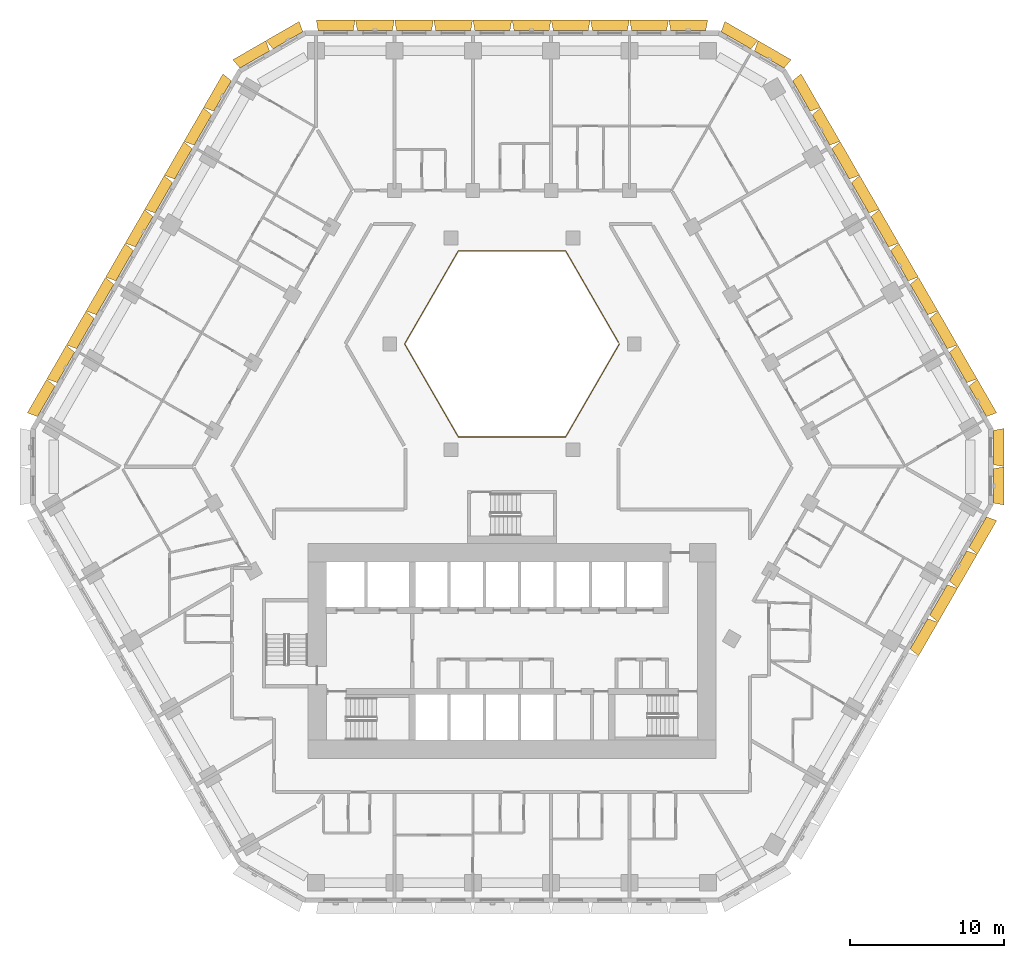
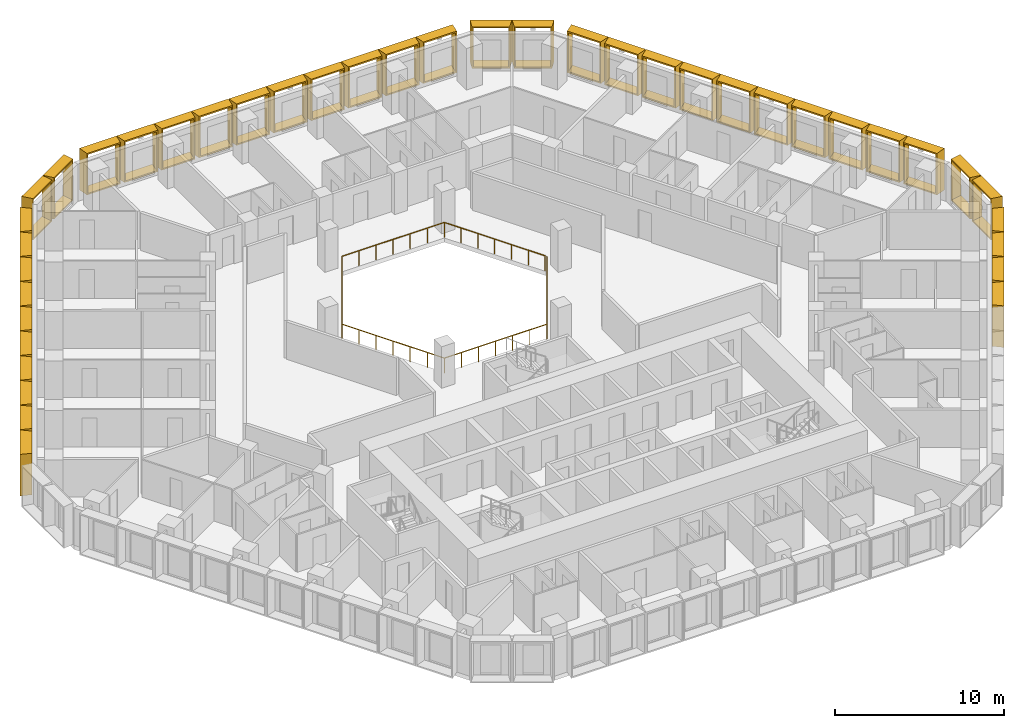
# One storey, part 21 of 21: 40 shading devices, 1 railing.
"""IFC4 building model written with IfcOpenShell, lengths in metres."""

from ifc_helpers import new_model, entity, si_unit, direction, frame, origin, origin_2d, place, context, subcontext, project, spatial, rectangle, extrude, source, transform, mapped, material, type_object, type_shapes, element, save


model = new_model("IFC4")

# Units and contexts
model_context = context("Model", 3, precision=1e-05, world=origin(), true_north=direction((0.0, 1.0)))
body_context = subcontext(model_context, "Body", "Model", "MODEL_VIEW")
ifc_project = project(units=[si_unit("LENGTHUNIT", "METRE"), si_unit("AREAUNIT", "SQUARE_METRE"), si_unit("VOLUMEUNIT", "CUBIC_METRE"), si_unit("PLANEANGLEUNIT", "RADIAN"), si_unit("MASSUNIT", "GRAM", prefix="KILO")], contexts=[model_context])

# Site, building, storey
site_placement = place(None, origin())
site = spatial("IfcSite", under=ifc_project, at=site_placement, CompositionType="ELEMENT")
building_placement = place(site_placement, origin())
building = spatial("IfcBuilding", under=site, at=building_placement, Name="Beryl Residences", CompositionType="ELEMENT")
storey_placement = place(building_placement, frame((0.0, 0.0, 35.39990234375)))
storey = spatial("IfcBuildingStorey", under=building, at=storey_placement, Name="L10", CompositionType="ELEMENT", Elevation=35.39990234375)

# Railing
ifc_material_1 = material(Name="Stainless steel balustrade with glass infill", Category="steel")
railing_type = type_object("IfcRailingType", Name="EG1 edge guard 1100 mm", PredefinedType="GUARDRAIL", material=ifc_material_1)
railing_placement = place(storey_placement, frame((6.9970703125, 8.0, 0.0)))
element("IfcRailing", 1, at=railing_placement, inside=storey, type_object=railing_type, Name="L10 atrium guard", PredefinedType="GUARDRAIL", context=body_context, shape_type="SweptSolid", body=[
    extrude(rectangle(XDim=0.048095703125, YDim=0.048095703125, at=origin_2d()), frame((0.0, 0.0, 1.076171875), z_axis=(-0.499921796684, -0.866070549782, 0.0), x_axis=(0.866070549782, -0.499921796684, 0.0)), (0.0, 0.0, 1.0), 6.9970703125),
    extrude(rectangle(XDim=0.048095703125, YDim=0.048095703125, at=origin_2d()), frame((-3.498046875, -6.06005859375, 1.076171875), z_axis=(-1.0, 0.0, 0.0), x_axis=(0.0, -1.0, 0.0)), (0.0, 0.0, 1.0), 6.998046875),
    extrude(rectangle(XDim=0.048095703125, YDim=0.048095703125, at=origin_2d()), frame((-10.49609375, -6.06005859375, 1.076171875), z_axis=(-0.499921796684, 0.866070549782, 0.0), x_axis=(-0.866070549782, -0.499921796684, 0.0)), (0.0, 0.0, 1.0), 6.9970703125),
    extrude(rectangle(XDim=0.048095703125, YDim=0.048095703125, at=origin_2d()), frame((-13.994140625, 0.0, 1.076171875), z_axis=(0.499921796684, 0.866070549782, 0.0), x_axis=(-0.866070549782, 0.499921796684, 0.0)), (0.0, 0.0, 1.0), 6.9970703125),
    extrude(rectangle(XDim=0.048095703125, YDim=0.048095703125, at=origin_2d()), frame((-10.49609375, 6.06005859375, 1.076171875), z_axis=(1.0, 0.0, 0.0), x_axis=(0.0, 1.0, 0.0)), (0.0, 0.0, 1.0), 6.998046875),
    extrude(rectangle(XDim=0.048095703125, YDim=0.048095703125, at=origin_2d()), frame((-3.498046875, 6.06005859375, 1.076171875), z_axis=(0.499919131929, -0.866072087953, 0.0), x_axis=(0.866072087953, 0.499919131929, 0.0)), (0.0, 0.0, 1.0), 6.877197265625),
    extrude(rectangle(XDim=0.0419921875, YDim=0.0419921875, at=origin_2d()), origin(), (0.0, 0.0, 1.0), 1.052001953125),
    extrude(rectangle(XDim=0.0419921875, YDim=0.0419921875, at=origin_2d()), frame((-0.5830078125, -1.010009765625, 0.0)), (0.0, 0.0, 1.0), 1.052001953125),
    extrude(rectangle(XDim=0.0419921875, YDim=0.0419921875, at=origin_2d()), frame((-1.166015625, -2.02001953125, 0.0)), (0.0, 0.0, 1.0), 1.052001953125),
    extrude(rectangle(XDim=0.0419921875, YDim=0.0419921875, at=origin_2d()), frame((-1.7490234375, -3.030029296875, 0.0)), (0.0, 0.0, 1.0), 1.052001953125),
    extrude(rectangle(XDim=0.0419921875, YDim=0.0419921875, at=origin_2d()), frame((-2.33203125, -4.0400390625, 0.0)), (0.0, 0.0, 1.0), 1.052001953125),
    extrude(rectangle(XDim=0.0419921875, YDim=0.0419921875, at=origin_2d()), frame((-2.9150390625, -5.050048828125, 0.0)), (0.0, 0.0, 1.0), 1.052001953125),
    extrude(rectangle(XDim=0.0419921875, YDim=0.0419921875, at=origin_2d()), frame((-3.498046875, -6.06005859375, 0.0)), (0.0, 0.0, 1.0), 1.052001953125),
    extrude(rectangle(XDim=0.0419921875, YDim=0.0419921875, at=origin_2d()), frame((-4.664306640625, -6.06005859375, 0.0)), (0.0, 0.0, 1.0), 1.052001953125),
    extrude(rectangle(XDim=0.0419921875, YDim=0.0419921875, at=origin_2d()), frame((-5.830810546875, -6.06005859375, 0.0)), (0.0, 0.0, 1.0), 1.052001953125),
    extrude(rectangle(XDim=0.0419921875, YDim=0.0419921875, at=origin_2d()), frame((-6.9970703125, -6.06005859375, 0.0)), (0.0, 0.0, 1.0), 1.052001953125),
    extrude(rectangle(XDim=0.0419921875, YDim=0.0419921875, at=origin_2d()), frame((-8.163330078125, -6.06005859375, 0.0)), (0.0, 0.0, 1.0), 1.052001953125),
    extrude(rectangle(XDim=0.0419921875, YDim=0.0419921875, at=origin_2d()), frame((-9.329833984375, -6.06005859375, 0.0)), (0.0, 0.0, 1.0), 1.052001953125),
    extrude(rectangle(XDim=0.0419921875, YDim=0.0419921875, at=origin_2d()), frame((-10.49609375, -6.06005859375, 0.0)), (0.0, 0.0, 1.0), 1.052001953125),
    extrude(rectangle(XDim=0.0419921875, YDim=0.0419921875, at=origin_2d()), frame((-11.0791015625, -5.050048828125, 0.0)), (0.0, 0.0, 1.0), 1.052001953125),
    extrude(rectangle(XDim=0.0419921875, YDim=0.0419921875, at=origin_2d()), frame((-11.662109375, -4.0400390625, 0.0)), (0.0, 0.0, 1.0), 1.052001953125),
    extrude(rectangle(XDim=0.0419921875, YDim=0.0419921875, at=origin_2d()), frame((-12.2451171875, -3.030029296875, 0.0)), (0.0, 0.0, 1.0), 1.052001953125),
    extrude(rectangle(XDim=0.0419921875, YDim=0.0419921875, at=origin_2d()), frame((-12.828125, -2.02001953125, 0.0)), (0.0, 0.0, 1.0), 1.052001953125),
    extrude(rectangle(XDim=0.0419921875, YDim=0.0419921875, at=origin_2d()), frame((-13.4111328125, -1.010009765625, 0.0)), (0.0, 0.0, 1.0), 1.052001953125),
    extrude(rectangle(XDim=0.0419921875, YDim=0.0419921875, at=origin_2d()), frame((-13.994140625, 0.0, 0.0)), (0.0, 0.0, 1.0), 1.052001953125),
    extrude(rectangle(XDim=0.0419921875, YDim=0.0419921875, at=origin_2d()), frame((-13.4111328125, 1.010009765625, 0.0)), (0.0, 0.0, 1.0), 1.052001953125),
    extrude(rectangle(XDim=0.0419921875, YDim=0.0419921875, at=origin_2d()), frame((-12.828125, 2.02001953125, 0.0)), (0.0, 0.0, 1.0), 1.052001953125),
    extrude(rectangle(XDim=0.0419921875, YDim=0.0419921875, at=origin_2d()), frame((-12.2451171875, 3.030029296875, 0.0)), (0.0, 0.0, 1.0), 1.052001953125),
    extrude(rectangle(XDim=0.0419921875, YDim=0.0419921875, at=origin_2d()), frame((-11.662109375, 4.0400390625, 0.0)), (0.0, 0.0, 1.0), 1.052001953125),
    extrude(rectangle(XDim=0.0419921875, YDim=0.0419921875, at=origin_2d()), frame((-11.0791015625, 5.050048828125, 0.0)), (0.0, 0.0, 1.0), 1.052001953125),
    extrude(rectangle(XDim=0.0419921875, YDim=0.0419921875, at=origin_2d()), frame((-10.49609375, 6.06005859375, 0.0)), (0.0, 0.0, 1.0), 1.052001953125),
    extrude(rectangle(XDim=0.0419921875, YDim=0.0419921875, at=origin_2d()), frame((-9.329833984375, 6.06005859375, 0.0)), (0.0, 0.0, 1.0), 1.052001953125),
    extrude(rectangle(XDim=0.0419921875, YDim=0.0419921875, at=origin_2d()), frame((-8.163330078125, 6.06005859375, 0.0)), (0.0, 0.0, 1.0), 1.052001953125),
    extrude(rectangle(XDim=0.0419921875, YDim=0.0419921875, at=origin_2d()), frame((-6.9970703125, 6.06005859375, 0.0)), (0.0, 0.0, 1.0), 1.052001953125),
    extrude(rectangle(XDim=0.0419921875, YDim=0.0419921875, at=origin_2d()), frame((-5.830810546875, 6.06005859375, 0.0)), (0.0, 0.0, 1.0), 1.052001953125),
    extrude(rectangle(XDim=0.0419921875, YDim=0.0419921875, at=origin_2d()), frame((-4.664306640625, 6.06005859375, 0.0)), (0.0, 0.0, 1.0), 1.052001953125),
    extrude(rectangle(XDim=0.0419921875, YDim=0.0419921875, at=origin_2d()), frame((-3.498046875, 6.06005859375, 0.0)), (0.0, 0.0, 1.0), 1.052001953125),
    extrude(rectangle(XDim=0.0419921875, YDim=0.0419921875, at=origin_2d()), frame((-2.925048828125, 5.0673828125, 0.0)), (0.0, 0.0, 1.0), 1.052001953125),
    extrude(rectangle(XDim=0.0419921875, YDim=0.0419921875, at=origin_2d()), frame((-2.35205078125, 4.07470703125, 0.0)), (0.0, 0.0, 1.0), 1.052001953125),
    extrude(rectangle(XDim=0.0419921875, YDim=0.0419921875, at=origin_2d()), frame((-1.779052734375, 3.08203125, 0.0)), (0.0, 0.0, 1.0), 1.052001953125),
    extrude(rectangle(XDim=0.0419921875, YDim=0.0419921875, at=origin_2d()), frame((-1.2060546875, 2.08935546875, 0.0)), (0.0, 0.0, 1.0), 1.052001953125),
    extrude(rectangle(XDim=0.0419921875, YDim=0.0419921875, at=origin_2d()), frame((-0.633056640625, 1.0966796875, 0.0)), (0.0, 0.0, 1.0), 1.052001953125),
    extrude(rectangle(XDim=0.0419921875, YDim=0.0419921875, at=origin_2d()), frame((-0.06005859375, 0.10400390625, 0.0)), (0.0, 0.0, 1.0), 1.052001953125),
])

# Shading devices
ifc_material_2 = material(Name="Aluminium pale anodised", Category="aluminium")
shading_device_type_1 = type_object("IfcShadingDeviceType", Name="FR250-70A OUTER SKIN frame 700 mm deep, splay 10/10 deg, 2500 x 3000 mm cell", PredefinedType="USERDEFINED", material=ifc_material_2)
cartesian_point_1 = entity("IfcCartesianPoint", [-1.116455078125, 0.0])
cartesian_point_2 = entity("IfcCartesianPoint", [-1.03515625, 0.10009765625])
cartesian_point_3 = entity("IfcCartesianPoint", [-1.239990234375, 0.0])
cartesian_point_4 = entity("IfcCartesianPoint", [-1.15869140625, 0.10009765625])
shared_shape_1 = source(origin(), body_context, "Body", "SweptSolid", [
    entity("IfcExtrudedAreaSolidTapered", entity("IfcArbitraryProfileDefWithVoids", "AREA", None, entity("IfcPolyline", [cartesian_point_1, entity("IfcCartesianPoint", [1.116455078125, 0.0]), entity("IfcCartesianPoint", [1.116455078125, 3.0]), entity("IfcCartesianPoint", [-1.116455078125, 3.0]), cartesian_point_1]), [entity("IfcPolyline", [cartesian_point_2, entity("IfcCartesianPoint", [1.03515625, 0.10009765625]), entity("IfcCartesianPoint", [1.03515625, 2.89990234375]), entity("IfcCartesianPoint", [-1.03515625, 2.89990234375]), cartesian_point_2])]), entity("IfcAxis2Placement3D", entity("IfcCartesianPoint", [0.0, 0.0, 0.0]), entity("IfcDirection", [0.0, 1.0, 0.0]), entity("IfcDirection", [-1.0, 0.0, 0.0])), entity("IfcDirection", [0.0, 0.0, 1.0]), 0.699951171875, entity("IfcArbitraryProfileDefWithVoids", "AREA", None, entity("IfcPolyline", [cartesian_point_3, entity("IfcCartesianPoint", [1.239990234375, 0.0]), entity("IfcCartesianPoint", [1.239990234375, 3.0]), entity("IfcCartesianPoint", [-1.239990234375, 3.0]), cartesian_point_3]), [entity("IfcPolyline", [cartesian_point_4, entity("IfcCartesianPoint", [1.15869140625, 0.10009765625]), entity("IfcCartesianPoint", [1.15869140625, 2.89990234375]), entity("IfcCartesianPoint", [-1.15869140625, 2.89990234375]), cartesian_point_4])])),
])
type_shapes(shading_device_type_1, [shared_shape_1])
for number, where, z_axis, x_axis, name in (
    (2, (-14.593017578125, 27.77490234375, 0.0), (0.0, 0.0, 1.0), (0.866025403784, 0.5, 0.0), "FR250-70A frame L10 N-NW 1"),
    (3, (-16.758056640625, 26.52490234375, 0.0), (0.0, 0.0, 1.0), (0.866025403784, 0.5, 0.0), "FR250-70A frame L10 N-NW 2"),
    (4, (31.35009765625, -1.25, 0.0), (0.0, 0.0, 1.0), (0.0, -1.0, 0.0), "FR250-70A frame L10 SE-NE 1"),
    (5, (31.35009765625, 1.25, 0.0), (0.0, 0.0, 1.0), (0.0, -1.0, 0.0), "FR250-70A frame L10 SE-NE 2"),
    (6, (16.758056640625, 26.52490234375, 0.0), (0.0, 0.0, 1.0), (0.866025403784, -0.5, 0.0), "FR250-70A frame L10 NE-N 1"),
    (7, (14.593017578125, 27.77490234375, 0.0), (0.0, 0.0, 1.0), (0.866025403784, -0.5, 0.0), "FR250-70A frame L10 NE-N 2"),
):
    element("IfcShadingDevice", number, at=place(storey_placement, frame(where, z_axis=z_axis, x_axis=x_axis)), inside=storey, type_object=shading_device_type_1, Name=name, ObjectType="OUTER SKIN", PredefinedType="USERDEFINED", context=body_context, shape_type="MappedRepresentation", body=[
        mapped(shared_shape_1, transform((0.0, 0.0, 0.0))),
    ])
ifc_material_3 = material(Name="Aluminium pale anodised", Category="aluminium")
shading_device_type_2 = type_object("IfcShadingDeviceType", Name="FR255-70A OUTER SKIN frame 700 mm deep, splay 10/10 deg, 2550 x 3000 mm cell", PredefinedType="USERDEFINED", material=ifc_material_3)
cartesian_point_5 = entity("IfcCartesianPoint", [-1.1416015625, 0.0])
cartesian_point_6 = entity("IfcCartesianPoint", [-1.060302734375, 0.10009765625])
cartesian_point_7 = entity("IfcCartesianPoint", [-1.264892578125, 0.0])
cartesian_point_8 = entity("IfcCartesianPoint", [-1.18359375, 0.10009765625])
shared_shape_2 = source(origin(), body_context, "Body", "SweptSolid", [
    entity("IfcExtrudedAreaSolidTapered", entity("IfcArbitraryProfileDefWithVoids", "AREA", None, entity("IfcPolyline", [cartesian_point_5, entity("IfcCartesianPoint", [1.1416015625, 0.0]), entity("IfcCartesianPoint", [1.1416015625, 3.0]), entity("IfcCartesianPoint", [-1.1416015625, 3.0]), cartesian_point_5]), [entity("IfcPolyline", [cartesian_point_6, entity("IfcCartesianPoint", [1.060302734375, 0.10009765625]), entity("IfcCartesianPoint", [1.060302734375, 2.89990234375]), entity("IfcCartesianPoint", [-1.060302734375, 2.89990234375]), cartesian_point_6])]), entity("IfcAxis2Placement3D", entity("IfcCartesianPoint", [0.0, 0.0, 0.0]), entity("IfcDirection", [0.0, 1.0, 0.0]), entity("IfcDirection", [-1.0, 0.0, 0.0])), entity("IfcDirection", [0.0, 0.0, 1.0]), 0.699951171875, entity("IfcArbitraryProfileDefWithVoids", "AREA", None, entity("IfcPolyline", [cartesian_point_7, entity("IfcCartesianPoint", [1.264892578125, 0.0]), entity("IfcCartesianPoint", [1.264892578125, 3.0]), entity("IfcCartesianPoint", [-1.264892578125, 3.0]), cartesian_point_7]), [entity("IfcPolyline", [cartesian_point_8, entity("IfcCartesianPoint", [1.18359375, 0.10009765625]), entity("IfcCartesianPoint", [1.18359375, 2.89990234375]), entity("IfcCartesianPoint", [-1.18359375, 2.89990234375]), cartesian_point_8])])),
])
type_shapes(shading_device_type_2, [shared_shape_2])
for number, where, z_axis, x_axis, name in (
    (8, (11.48291015625, 28.39990234375, 0.0), (0.0, 0.0, 1.0), (1.0, 0.0, 0.0), "FR255-70A frame L10 N 1"),
    (9, (8.930908203125, 28.39990234375, 0.0), (0.0, 0.0, 1.0), (1.0, 0.0, 0.0), "FR255-70A frame L10 N 2"),
    (10, (6.37890625, 28.39990234375, 0.0), (0.0, 0.0, 1.0), (1.0, 0.0, 0.0), "FR255-70A frame L10 N 3"),
    (11, (3.826904296875, 28.39990234375, 0.0), (0.0, 0.0, 1.0), (1.0, 0.0, 0.0), "FR255-70A frame L10 N 4"),
    (12, (1.27490234375, 28.39990234375, 0.0), (0.0, 0.0, 1.0), (1.0, 0.0, 0.0), "FR255-70A frame L10 N 5"),
    (13, (-1.277099609375, 28.39990234375, 0.0), (0.0, 0.0, 1.0), (1.0, 0.0, 0.0), "FR255-70A frame L10 N 6"),
    (14, (-3.8291015625, 28.39990234375, 0.0), (0.0, 0.0, 1.0), (1.0, 0.0, 0.0), "FR255-70A frame L10 N 7"),
    (15, (-6.381103515625, 28.39990234375, 0.0), (0.0, 0.0, 1.0), (1.0, 0.0, 0.0), "FR255-70A frame L10 N 8"),
    (16, (-8.93310546875, 28.39990234375, 0.0), (0.0, 0.0, 1.0), (1.0, 0.0, 0.0), "FR255-70A frame L10 N 9"),
    (17, (-11.485107421875, 28.39990234375, 0.0), (0.0, 0.0, 1.0), (1.0, 0.0, 0.0), "FR255-70A frame L10 N 10"),
    (18, (-18.85400390625, 24.14501953125, 0.0), (0.0, 0.0, 1.0), (0.5, 0.866025403784, 0.0), "FR255-70A frame L10 NW 1"),
    (19, (-20.1298828125, 21.93505859375, 0.0), (0.0, 0.0, 1.0), (0.5, 0.866025403784, 0.0), "FR255-70A frame L10 NW 2"),
    (20, (-21.406005859375, 19.72412109375, 0.0), (0.0, 0.0, 1.0), (0.5, 0.866025403784, 0.0), "FR255-70A frame L10 NW 3"),
    (21, (-22.681884765625, 17.513916015625, 0.0), (0.0, 0.0, 1.0), (0.5, 0.866025403784, 0.0), "FR255-70A frame L10 NW 4"),
    (22, (-23.9580078125, 15.303955078125, 0.0), (0.0, 0.0, 1.0), (0.5, 0.866025403784, 0.0), "FR255-70A frame L10 NW 5"),
    (23, (-25.23291015625, 13.093994140625, 0.0), (0.0, 0.0, 1.0), (0.5, 0.866025403784, 0.0), "FR255-70A frame L10 NW 6"),
    (24, (-26.509033203125, 10.884033203125, 0.0), (0.0, 0.0, 1.0), (0.5, 0.866025403784, 0.0), "FR255-70A frame L10 NW 7"),
    (25, (-27.784912109375, 8.674072265625, 0.0), (0.0, 0.0, 1.0), (0.5, 0.866025403784, 0.0), "FR255-70A frame L10 NW 8"),
    (26, (-29.06103515625, 6.464111328125, 0.0), (0.0, 0.0, 1.0), (0.5, 0.866025403784, 0.0), "FR255-70A frame L10 NW 9"),
    (27, (-30.3369140625, 4.25390625, 0.0), (0.0, 0.0, 1.0), (0.5, 0.866025403784, 0.0), "FR255-70A frame L10 NW 10"),
    (28, (26.509033203125, -10.884033203125, 0.0), (0.0, 0.0, 1.0), (-0.5, -0.866025403784, 0.0), "FR255-70A frame L10 SE 7"),
    (29, (27.784912109375, -8.674072265625, 0.0), (0.0, 0.0, 1.0), (-0.5, -0.866025403784, 0.0), "FR255-70A frame L10 SE 8"),
    (30, (29.06103515625, -6.464111328125, 0.0), (0.0, 0.0, 1.0), (-0.5, -0.866025403784, 0.0), "FR255-70A frame L10 SE 9"),
    (31, (30.3369140625, -4.25390625, 0.0), (0.0, 0.0, 1.0), (-0.5, -0.866025403784, 0.0), "FR255-70A frame L10 SE 10"),
    (32, (30.3359375, 4.2548828125, 0.0), (0.0, 0.0, 1.0), (0.5, -0.866025403784, 0.0), "FR255-70A frame L10 NE 1"),
    (33, (29.06005859375, 6.465087890625, 0.0), (0.0, 0.0, 1.0), (0.5, -0.866025403784, 0.0), "FR255-70A frame L10 NE 2"),
    (34, (27.783935546875, 8.676025390625, 0.0), (0.0, 0.0, 1.0), (0.5, -0.866025403784, 0.0), "FR255-70A frame L10 NE 3"),
    (35, (26.508056640625, 10.885986328125, 0.0), (0.0, 0.0, 1.0), (0.5, -0.866025403784, 0.0), "FR255-70A frame L10 NE 4"),
    (36, (25.23193359375, 13.095947265625, 0.0), (0.0, 0.0, 1.0), (0.5, -0.866025403784, 0.0), "FR255-70A frame L10 NE 5"),
    (37, (23.95703125, 15.305908203125, 0.0), (0.0, 0.0, 1.0), (0.5, -0.866025403784, 0.0), "FR255-70A frame L10 NE 6"),
    (38, (22.680908203125, 17.51611328125, 0.0), (0.0, 0.0, 1.0), (0.5, -0.866025403784, 0.0), "FR255-70A frame L10 NE 7"),
    (39, (21.405029296875, 19.72607421875, 0.0), (0.0, 0.0, 1.0), (0.5, -0.866025403784, 0.0), "FR255-70A frame L10 NE 8"),
    (40, (20.12890625, 21.93603515625, 0.0), (0.0, 0.0, 1.0), (0.5, -0.866025403784, 0.0), "FR255-70A frame L10 NE 9"),
    (41, (18.85302734375, 24.14599609375, 0.0), (0.0, 0.0, 1.0), (0.5, -0.866025403784, 0.0), "FR255-70A frame L10 NE 10"),
):
    element("IfcShadingDevice", number, at=place(storey_placement, frame(where, z_axis=z_axis, x_axis=x_axis)), inside=storey, type_object=shading_device_type_2, Name=name, ObjectType="OUTER SKIN", PredefinedType="USERDEFINED", context=body_context, shape_type="MappedRepresentation", body=[
        mapped(shared_shape_2, transform((0.0, 0.0, 0.0))),
    ])

save(model, "model.ifc")
